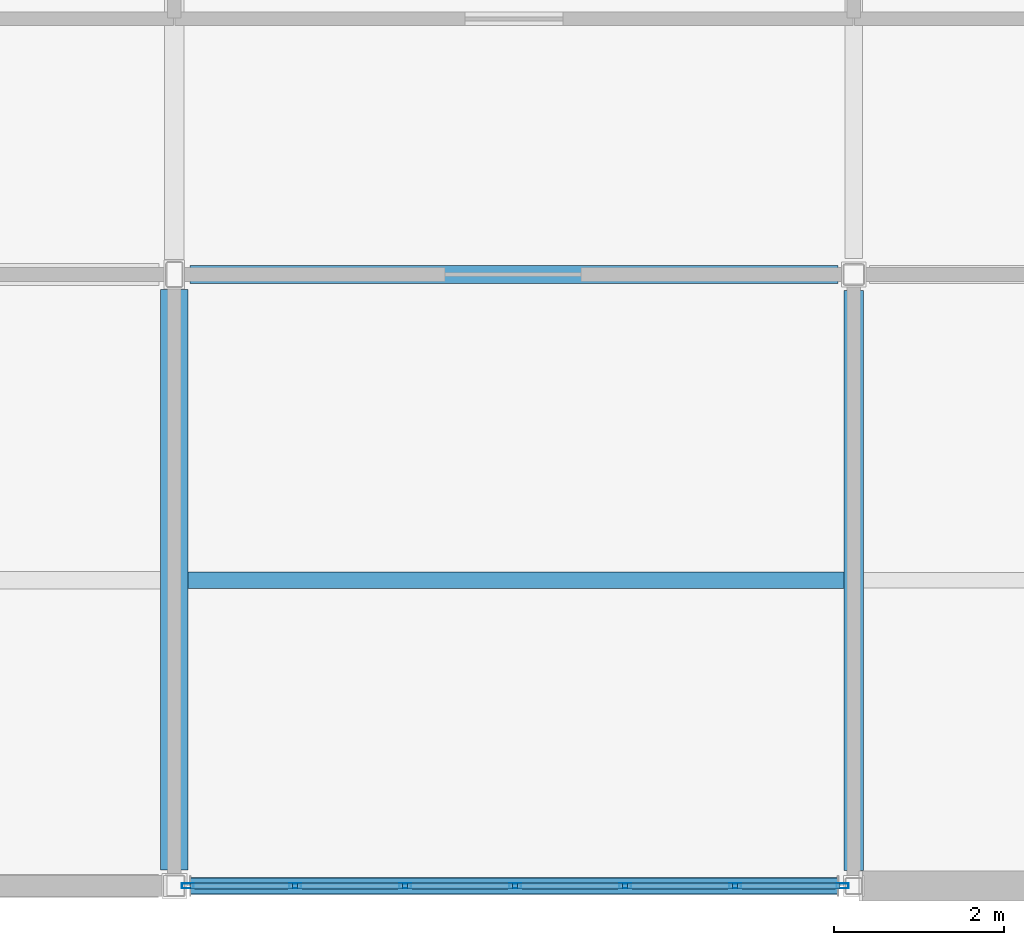
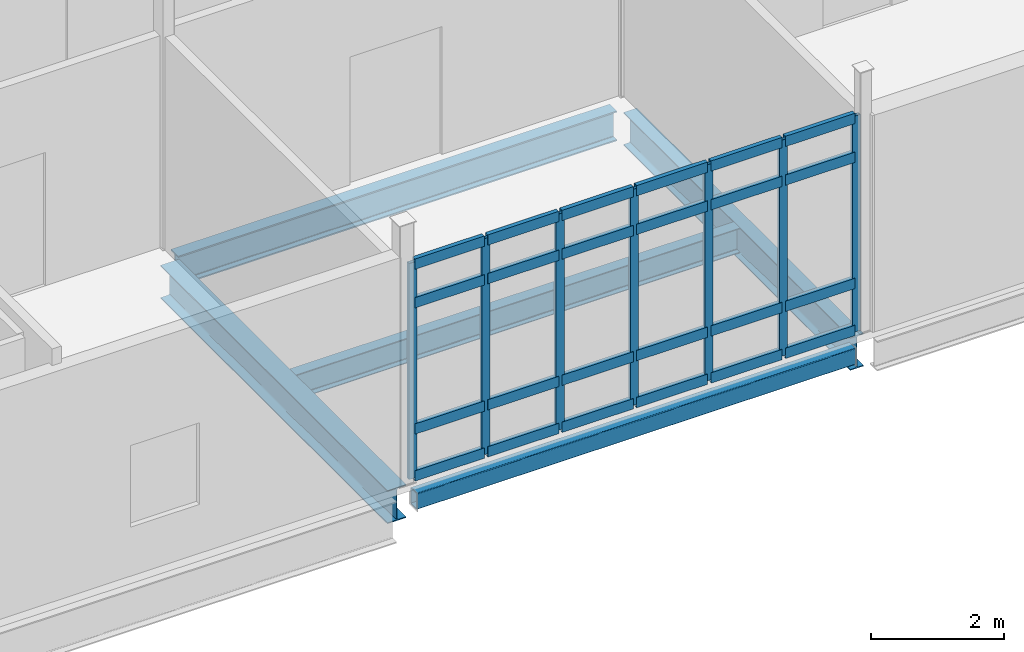
# One storey, part 46 of 186: 31 members, 5 beams, 1 element without a shape of its own.
"""IFC4 building model written with IfcOpenShell, lengths in metres."""

from ifc_helpers import new_model, si_unit, direction, frame, origin, origin_2d, place, context, subcontext, project, spatial, hollow_rectangle, i_section, extrude, material, layer, layer_set, material_profile, profile_set, type_object, element, aggregate, save


model = new_model("IFC4")

# Units and contexts
model_context = context("Model", 3, precision=1e-05, world=origin(), true_north=direction((0.0, 1.0)))
body_context = subcontext(model_context, "Body", "Model", "MODEL_VIEW")
ifc_project = project(units=[si_unit("LENGTHUNIT", "METRE"), si_unit("AREAUNIT", "SQUARE_METRE"), si_unit("VOLUMEUNIT", "CUBIC_METRE"), si_unit("PLANEANGLEUNIT", "RADIAN"), si_unit("MASSUNIT", "GRAM", prefix="KILO")], contexts=[model_context])

# Site, building, storey
site_placement = place(None, origin())
site = spatial("IfcSite", under=ifc_project, at=site_placement, CompositionType="ELEMENT")
building_placement = place(site_placement, origin())
building = spatial("IfcBuilding", under=site, at=building_placement, Name="Calvrana Isthmian Art Gallery", CompositionType="ELEMENT")
storey_placement = place(building_placement, frame((0.0, 0.0, 5.39990234375)))
storey = spatial("IfcBuildingStorey", under=building, at=storey_placement, Name="L01", CompositionType="ELEMENT", Elevation=5.39990234375)

# Beams
ifc_material_1 = material(Name="Steel ASTM A992 Gr 50", Category="steel")
ifc_material_profile_1 = material_profile(ifc_material_1, i_section(OverallWidth=0.214111328125, OverallDepth=0.549072265625, WebThickness=0.0146484375, FlangeThickness=0.023681640625, FilletRadius=0.02099609375, at=origin_2d()), Name="W21X93")
ifc_profile_set_1 = profile_set([ifc_material_profile_1], Name="Steel ASTM A992 Gr 50")
beam_type_1 = type_object("IfcBeamType", Name="BM-G-W21X93", PredefinedType="BEAM", material=ifc_profile_set_1)
beam_1_placement = place(storey_placement, frame((80.583984375, 7.199951171875, -0.519287109375), z_axis=(1.0, 0.0, 0.0), x_axis=(0.0, 1.0, 0.0)))
element("IfcBeam", 1, at=beam_1_placement, inside=storey, type_object=beam_type_1, Name="Girder X L01 11-12/B", PredefinedType="BEAM", context=body_context, shape_type="SweptSolid", body=[
    extrude(i_section(OverallWidth=0.214111328125, OverallDepth=0.549072265625, WebThickness=0.0146484375, FlangeThickness=0.023681640625, FilletRadius=0.02099609375, at=origin_2d()), origin(), (0.0, 0.0, 1.0), 7.62939453125),
])
ifc_material_profile_2 = material_profile(ifc_material_1, i_section(OverallWidth=0.324951171875, OverallDepth=0.612060546875, WebThickness=0.0126953125, FlangeThickness=0.01904296875, FilletRadius=0.02197265625, at=origin_2d()), Name="W24X104")
ifc_profile_set_2 = profile_set([ifc_material_profile_2], Name="Steel ASTM A992 Gr 50")
beam_type_2 = type_object("IfcBeamType", Name="BM-G-W24X104", PredefinedType="BEAM", material=ifc_profile_set_2)
beam_2_placement = place(storey_placement, frame((80.39990234375, 0.1865234375, -0.55078125), z_axis=(0.0, 1.0, 0.0), x_axis=(-1.0, 0.0, 0.0)))
element("IfcBeam", 2, at=beam_2_placement, inside=storey, type_object=beam_type_2, Name="Girder Y L01 11/A-B", PredefinedType="BEAM", context=body_context, shape_type="SweptSolid", body=[
    extrude(i_section(OverallWidth=0.324951171875, OverallDepth=0.612060546875, WebThickness=0.0126953125, FlangeThickness=0.01904296875, FilletRadius=0.02197265625, at=origin_2d()), origin(), (0.0, 0.0, 1.0), 6.83544921875),
])
ifc_material_profile_3 = material_profile(ifc_material_1, i_section(OverallWidth=0.22802734375, OverallDepth=0.60693359375, WebThickness=0.01123046875, FlangeThickness=0.017333984375, FilletRadius=0.02197265625, at=origin_2d()), Name="W24X76")
ifc_profile_set_3 = profile_set([ifc_material_profile_3], Name="Steel ASTM A992 Gr 50")
beam_type_3 = type_object("IfcBeamType", Name="BM-G-W24X76", PredefinedType="BEAM", material=ifc_profile_set_3)
beam_3_placement = place(storey_placement, frame((88.39990234375, 0.18408203125, -0.54833984375), z_axis=(0.0, 1.0, 0.0), x_axis=(-1.0, 0.0, 0.0)))
element("IfcBeam", 3, at=beam_3_placement, inside=storey, type_object=beam_type_3, Name="Girder Y L01 12/A-B", PredefinedType="BEAM", context=body_context, shape_type="SweptSolid", body=[
    extrude(i_section(OverallWidth=0.22802734375, OverallDepth=0.60693359375, WebThickness=0.01123046875, FlangeThickness=0.017333984375, FilletRadius=0.02197265625, at=origin_2d()), origin(), (0.0, 0.0, 1.0), 6.829345703125),
])
ifc_material_profile_4 = material_profile(ifc_material_1, i_section(OverallWidth=0.19091796875, OverallDepth=0.45703125, WebThickness=0.009033203125, FlangeThickness=0.014404296875, FilletRadius=0.02001953125, at=origin_2d()), Name="W18X50")
ifc_profile_set_4 = profile_set([ifc_material_profile_4], Name="Steel ASTM A992 Gr 50")
beam_type_4 = type_object("IfcBeamType", Name="BM-J-W18X50", PredefinedType="JOIST", material=ifc_profile_set_4)
beam_4_placement = place(storey_placement, frame((80.5625, 3.60009765625, -0.473388671875), z_axis=(1.0, 0.0, 0.0), x_axis=(0.0, 1.0, 0.0)))
element("IfcBeam", 4, at=beam_4_placement, inside=storey, type_object=beam_type_4, Name="Composite joist L01 bay 10-00", PredefinedType="JOIST", context=body_context, shape_type="SweptSolid", body=[
    extrude(i_section(OverallWidth=0.19091796875, OverallDepth=0.45703125, WebThickness=0.009033203125, FlangeThickness=0.014404296875, FilletRadius=0.02001953125, at=origin_2d()), origin(), (0.0, 0.0, 1.0), 7.723388671875),
])
ifc_material_2 = material(Name="Steel ASTM A500 Gr C", Category="steel")
ifc_material_profile_5 = material_profile(ifc_material_2, hollow_rectangle(XDim=0.203125, YDim=0.3046875, WallThickness=0.0126953125, OuterFilletRadius=0.02490234375, at=origin_2d()), Name="HSS305X203X12.7")
ifc_profile_set_5 = profile_set([ifc_material_profile_5], Name="Steel ASTM A500 Gr C")
beam_type_5 = type_object("IfcBeamType", Name="BM-SP-HSS305", PredefinedType="SPANDREL", material=ifc_profile_set_5)
beam_5_placement = place(storey_placement, frame((80.58642578125, 0.0, -0.397216796875), z_axis=(1.0, 0.0, 0.0), x_axis=(0.0, 1.0, 0.0)))
element("IfcBeam", 5, at=beam_5_placement, inside=storey, type_object=beam_type_5, Name="Girder X L01 11-12/A", PredefinedType="SPANDREL", context=body_context, shape_type="SweptSolid", body=[
    extrude(hollow_rectangle(XDim=0.203125, YDim=0.3046875, WallThickness=0.0126953125, OuterFilletRadius=0.02490234375, at=origin_2d()), origin(), (0.0, 0.0, 1.0), 7.626953125),
])

# Curtain wall, members
ifc_material_3 = material(Name="Anodized bronze aluminium 6063-T6", Category="aluminium")
ifc_layer = layer(ifc_material_3, 0.179931640625, Name="Anodized bronze aluminium 6063-T6")
ifc_layer_set = layer_set([ifc_layer], Name="Anodized bronze aluminium 6063-T6")
curtain_wall_type = type_object("IfcCurtainWallType", Name="CW-UNIT-078X40", PredefinedType="USERDEFINED", material=ifc_layer_set)
curtain_wall_placement = place(storey_placement, origin())
curtain_wall = element("IfcCurtainWall", 6, at=curtain_wall_placement, inside=storey, type_object=curtain_wall_type, Name="Curtain wall CW-084", ObjectType="UNITISED CURTAIN WALL", PredefinedType="USERDEFINED")
ifc_material_profile_6 = material_profile(ifc_material_3, hollow_rectangle(XDim=0.06005859375, YDim=0.139892578125, WallThickness=0.00390625, at=origin_2d()), Name="CWM60X140")
ifc_profile_set_6 = profile_set([ifc_material_profile_6], Name="Anodized bronze aluminium 6063-T6")
member_type_1 = type_object("IfcMemberType", Name="CWM-CWM60X140", PredefinedType="MULLION", material=ifc_profile_set_6)
member_1_placement = place(storey_placement, frame((88.268310546875, 0.0, 0.0), z_axis=(0.0, 0.0, 1.0), x_axis=(0.0, -1.0, 0.0)))
member_1 = element("IfcMember", 7, at=member_1_placement, type_object=member_type_1, Name="CW-084 mullion 1", PredefinedType="MULLION", context=body_context, shape_type="SweptSolid", body=[
    extrude(hollow_rectangle(XDim=0.06005859375, YDim=0.139892578125, WallThickness=0.00390625, at=origin_2d()), origin(), (0.0, 0.0, 1.0), 3.97119140625),
])
member_2_placement = place(storey_placement, frame((87.003173828125, 0.0, 0.0), z_axis=(0.0, 0.0, 1.0), x_axis=(0.0, -1.0, 0.0)))
member_2 = element("IfcMember", 8, at=member_2_placement, type_object=member_type_1, Name="CW-084 mullion 2", PredefinedType="MULLION", context=body_context, shape_type="SweptSolid", body=[
    extrude(hollow_rectangle(XDim=0.06005859375, YDim=0.139892578125, WallThickness=0.00390625, at=origin_2d()), origin(), (0.0, 0.0, 1.0), 3.97119140625),
])
member_3_placement = place(storey_placement, frame((85.7080078125, 0.0, 0.0), z_axis=(0.0, 0.0, 1.0), x_axis=(0.0, -1.0, 0.0)))
member_3 = element("IfcMember", 9, at=member_3_placement, type_object=member_type_1, Name="CW-084 mullion 3", PredefinedType="MULLION", context=body_context, shape_type="SweptSolid", body=[
    extrude(hollow_rectangle(XDim=0.06005859375, YDim=0.139892578125, WallThickness=0.00390625, at=origin_2d()), origin(), (0.0, 0.0, 1.0), 3.97119140625),
])
member_4_placement = place(storey_placement, frame((84.41259765625, 0.0, 0.0), z_axis=(0.0, 0.0, 1.0), x_axis=(0.0, -1.0, 0.0)))
member_4 = element("IfcMember", 10, at=member_4_placement, type_object=member_type_1, Name="CW-084 mullion 4", PredefinedType="MULLION", context=body_context, shape_type="SweptSolid", body=[
    extrude(hollow_rectangle(XDim=0.06005859375, YDim=0.139892578125, WallThickness=0.00390625, at=origin_2d()), origin(), (0.0, 0.0, 1.0), 3.97119140625),
])
member_5_placement = place(storey_placement, frame((83.117431640625, 0.0, 0.0), z_axis=(0.0, 0.0, 1.0), x_axis=(0.0, -1.0, 0.0)))
member_5 = element("IfcMember", 11, at=member_5_placement, type_object=member_type_1, Name="CW-084 mullion 5", PredefinedType="MULLION", context=body_context, shape_type="SweptSolid", body=[
    extrude(hollow_rectangle(XDim=0.06005859375, YDim=0.139892578125, WallThickness=0.00390625, at=origin_2d()), origin(), (0.0, 0.0, 1.0), 3.97119140625),
])
member_6_placement = place(storey_placement, frame((81.822265625, 0.0, 0.0), z_axis=(0.0, 0.0, 1.0), x_axis=(0.0, -1.0, 0.0)))
member_6 = element("IfcMember", 12, at=member_6_placement, type_object=member_type_1, Name="CW-084 mullion 6", PredefinedType="MULLION", context=body_context, shape_type="SweptSolid", body=[
    extrude(hollow_rectangle(XDim=0.06005859375, YDim=0.139892578125, WallThickness=0.00390625, at=origin_2d()), origin(), (0.0, 0.0, 1.0), 3.97119140625),
])
member_7_placement = place(storey_placement, frame((80.556884765625, 0.0, 0.0), z_axis=(0.0, 0.0, 1.0), x_axis=(0.0, -1.0, 0.0)))
member_7 = element("IfcMember", 13, at=member_7_placement, type_object=member_type_1, Name="CW-084 mullion 7", PredefinedType="MULLION", context=body_context, shape_type="SweptSolid", body=[
    extrude(hollow_rectangle(XDim=0.06005859375, YDim=0.139892578125, WallThickness=0.00390625, at=origin_2d()), origin(), (0.0, 0.0, 1.0), 3.97119140625),
])
ifc_material_profile_7 = material_profile(ifc_material_3, hollow_rectangle(XDim=0.074951171875, YDim=0.18994140625, WallThickness=0.00439453125, at=origin_2d()), Name="CWT75X190")
ifc_profile_set_7 = profile_set([ifc_material_profile_7], Name="Anodized bronze aluminium 6063-T6")
member_type_2 = type_object("IfcMemberType", Name="CWT-CWT75X190", PredefinedType="USERDEFINED", material=ifc_profile_set_7)
member_8_placement = place(storey_placement, frame((88.23828125, 0.0, 0.03759765625), z_axis=(-1.0, 0.0, 0.0), x_axis=(0.0, -1.0, 0.0)))
member_8 = element("IfcMember", 14, at=member_8_placement, type_object=member_type_2, Name="CW-084 transom 1.1", ObjectType="TRANSOM", PredefinedType="USERDEFINED", context=body_context, shape_type="SweptSolid", body=[
    extrude(hollow_rectangle(XDim=0.074951171875, YDim=0.18994140625, WallThickness=0.00439453125, at=origin_2d()), origin(), (0.0, 0.0, 1.0), 1.205078125),
])
member_9_placement = place(storey_placement, frame((88.23828125, 0.0, 0.900146484375), z_axis=(-1.0, 0.0, 0.0), x_axis=(0.0, -1.0, 0.0)))
member_9 = element("IfcMember", 15, at=member_9_placement, type_object=member_type_2, Name="CW-084 transom 1.2", ObjectType="TRANSOM", PredefinedType="USERDEFINED", context=body_context, shape_type="SweptSolid", body=[
    extrude(hollow_rectangle(XDim=0.074951171875, YDim=0.18994140625, WallThickness=0.00439453125, at=origin_2d()), origin(), (0.0, 0.0, 1.0), 1.205078125),
])
member_10_placement = place(storey_placement, frame((88.23828125, 0.0, 3.22119140625), z_axis=(-1.0, 0.0, 0.0), x_axis=(0.0, -1.0, 0.0)))
member_10 = element("IfcMember", 16, at=member_10_placement, type_object=member_type_2, Name="CW-084 transom 1.3", ObjectType="TRANSOM", PredefinedType="USERDEFINED", context=body_context, shape_type="SweptSolid", body=[
    extrude(hollow_rectangle(XDim=0.074951171875, YDim=0.18994140625, WallThickness=0.00439453125, at=origin_2d()), origin(), (0.0, 0.0, 1.0), 1.205078125),
])
member_11_placement = place(storey_placement, frame((88.23828125, 0.0, 3.93359375), z_axis=(-1.0, 0.0, 0.0), x_axis=(0.0, -1.0, 0.0)))
member_11 = element("IfcMember", 17, at=member_11_placement, type_object=member_type_2, Name="CW-084 transom 1.4", ObjectType="TRANSOM", PredefinedType="USERDEFINED", context=body_context, shape_type="SweptSolid", body=[
    extrude(hollow_rectangle(XDim=0.074951171875, YDim=0.18994140625, WallThickness=0.00439453125, at=origin_2d()), origin(), (0.0, 0.0, 1.0), 1.205078125),
])
member_12_placement = place(storey_placement, frame((86.97314453125, 0.0, 0.03759765625), z_axis=(-1.0, 0.0, 0.0), x_axis=(0.0, -1.0, 0.0)))
member_12 = element("IfcMember", 18, at=member_12_placement, type_object=member_type_2, Name="CW-084 transom 2.1", ObjectType="TRANSOM", PredefinedType="USERDEFINED", context=body_context, shape_type="SweptSolid", body=[
    extrude(hollow_rectangle(XDim=0.074951171875, YDim=0.18994140625, WallThickness=0.00439453125, at=origin_2d()), origin(), (0.0, 0.0, 1.0), 1.235107421875),
])
member_13_placement = place(storey_placement, frame((86.97314453125, 0.0, 0.900146484375), z_axis=(-1.0, 0.0, 0.0), x_axis=(0.0, -1.0, 0.0)))
member_13 = element("IfcMember", 19, at=member_13_placement, type_object=member_type_2, Name="CW-084 transom 2.2", ObjectType="TRANSOM", PredefinedType="USERDEFINED", context=body_context, shape_type="SweptSolid", body=[
    extrude(hollow_rectangle(XDim=0.074951171875, YDim=0.18994140625, WallThickness=0.00439453125, at=origin_2d()), origin(), (0.0, 0.0, 1.0), 1.235107421875),
])
member_14_placement = place(storey_placement, frame((86.97314453125, 0.0, 3.22119140625), z_axis=(-1.0, 0.0, 0.0), x_axis=(0.0, -1.0, 0.0)))
member_14 = element("IfcMember", 20, at=member_14_placement, type_object=member_type_2, Name="CW-084 transom 2.3", ObjectType="TRANSOM", PredefinedType="USERDEFINED", context=body_context, shape_type="SweptSolid", body=[
    extrude(hollow_rectangle(XDim=0.074951171875, YDim=0.18994140625, WallThickness=0.00439453125, at=origin_2d()), origin(), (0.0, 0.0, 1.0), 1.235107421875),
])
member_15_placement = place(storey_placement, frame((86.97314453125, 0.0, 3.93359375), z_axis=(-1.0, 0.0, 0.0), x_axis=(0.0, -1.0, 0.0)))
member_15 = element("IfcMember", 21, at=member_15_placement, type_object=member_type_2, Name="CW-084 transom 2.4", ObjectType="TRANSOM", PredefinedType="USERDEFINED", context=body_context, shape_type="SweptSolid", body=[
    extrude(hollow_rectangle(XDim=0.074951171875, YDim=0.18994140625, WallThickness=0.00439453125, at=origin_2d()), origin(), (0.0, 0.0, 1.0), 1.235107421875),
])
member_16_placement = place(storey_placement, frame((85.677978515625, 0.0, 0.03759765625), z_axis=(-1.0, 0.0, 0.0), x_axis=(0.0, -1.0, 0.0)))
member_16 = element("IfcMember", 22, at=member_16_placement, type_object=member_type_2, Name="CW-084 transom 3.1", ObjectType="TRANSOM", PredefinedType="USERDEFINED", context=body_context, shape_type="SweptSolid", body=[
    extrude(hollow_rectangle(XDim=0.074951171875, YDim=0.18994140625, WallThickness=0.00439453125, at=origin_2d()), origin(), (0.0, 0.0, 1.0), 1.2353515625),
])
member_17_placement = place(storey_placement, frame((85.677978515625, 0.0, 0.900146484375), z_axis=(-1.0, 0.0, 0.0), x_axis=(0.0, -1.0, 0.0)))
member_17 = element("IfcMember", 23, at=member_17_placement, type_object=member_type_2, Name="CW-084 transom 3.2", ObjectType="TRANSOM", PredefinedType="USERDEFINED", context=body_context, shape_type="SweptSolid", body=[
    extrude(hollow_rectangle(XDim=0.074951171875, YDim=0.18994140625, WallThickness=0.00439453125, at=origin_2d()), origin(), (0.0, 0.0, 1.0), 1.2353515625),
])
member_18_placement = place(storey_placement, frame((85.677978515625, 0.0, 3.22119140625), z_axis=(-1.0, 0.0, 0.0), x_axis=(0.0, -1.0, 0.0)))
member_18 = element("IfcMember", 24, at=member_18_placement, type_object=member_type_2, Name="CW-084 transom 3.3", ObjectType="TRANSOM", PredefinedType="USERDEFINED", context=body_context, shape_type="SweptSolid", body=[
    extrude(hollow_rectangle(XDim=0.074951171875, YDim=0.18994140625, WallThickness=0.00439453125, at=origin_2d()), origin(), (0.0, 0.0, 1.0), 1.2353515625),
])
member_19_placement = place(storey_placement, frame((85.677978515625, 0.0, 3.93359375), z_axis=(-1.0, 0.0, 0.0), x_axis=(0.0, -1.0, 0.0)))
member_19 = element("IfcMember", 25, at=member_19_placement, type_object=member_type_2, Name="CW-084 transom 3.4", ObjectType="TRANSOM", PredefinedType="USERDEFINED", context=body_context, shape_type="SweptSolid", body=[
    extrude(hollow_rectangle(XDim=0.074951171875, YDim=0.18994140625, WallThickness=0.00439453125, at=origin_2d()), origin(), (0.0, 0.0, 1.0), 1.2353515625),
])
member_20_placement = place(storey_placement, frame((84.3828125, 0.0, 0.03759765625), z_axis=(-1.0, 0.0, 0.0), x_axis=(0.0, -1.0, 0.0)))
member_20 = element("IfcMember", 26, at=member_20_placement, type_object=member_type_2, Name="CW-084 transom 4.1", ObjectType="TRANSOM", PredefinedType="USERDEFINED", context=body_context, shape_type="SweptSolid", body=[
    extrude(hollow_rectangle(XDim=0.074951171875, YDim=0.18994140625, WallThickness=0.00439453125, at=origin_2d()), origin(), (0.0, 0.0, 1.0), 1.2353515625),
])
member_21_placement = place(storey_placement, frame((84.3828125, 0.0, 0.900146484375), z_axis=(-1.0, 0.0, 0.0), x_axis=(0.0, -1.0, 0.0)))
member_21 = element("IfcMember", 27, at=member_21_placement, type_object=member_type_2, Name="CW-084 transom 4.2", ObjectType="TRANSOM", PredefinedType="USERDEFINED", context=body_context, shape_type="SweptSolid", body=[
    extrude(hollow_rectangle(XDim=0.074951171875, YDim=0.18994140625, WallThickness=0.00439453125, at=origin_2d()), origin(), (0.0, 0.0, 1.0), 1.2353515625),
])
member_22_placement = place(storey_placement, frame((84.3828125, 0.0, 3.22119140625), z_axis=(-1.0, 0.0, 0.0), x_axis=(0.0, -1.0, 0.0)))
member_22 = element("IfcMember", 28, at=member_22_placement, type_object=member_type_2, Name="CW-084 transom 4.3", ObjectType="TRANSOM", PredefinedType="USERDEFINED", context=body_context, shape_type="SweptSolid", body=[
    extrude(hollow_rectangle(XDim=0.074951171875, YDim=0.18994140625, WallThickness=0.00439453125, at=origin_2d()), origin(), (0.0, 0.0, 1.0), 1.2353515625),
])
member_23_placement = place(storey_placement, frame((84.3828125, 0.0, 3.93359375), z_axis=(-1.0, 0.0, 0.0), x_axis=(0.0, -1.0, 0.0)))
member_23 = element("IfcMember", 29, at=member_23_placement, type_object=member_type_2, Name="CW-084 transom 4.4", ObjectType="TRANSOM", PredefinedType="USERDEFINED", context=body_context, shape_type="SweptSolid", body=[
    extrude(hollow_rectangle(XDim=0.074951171875, YDim=0.18994140625, WallThickness=0.00439453125, at=origin_2d()), origin(), (0.0, 0.0, 1.0), 1.2353515625),
])
member_24_placement = place(storey_placement, frame((83.08740234375, 0.0, 0.03759765625), z_axis=(-1.0, 0.0, 0.0), x_axis=(0.0, -1.0, 0.0)))
member_24 = element("IfcMember", 30, at=member_24_placement, type_object=member_type_2, Name="CW-084 transom 5.1", ObjectType="TRANSOM", PredefinedType="USERDEFINED", context=body_context, shape_type="SweptSolid", body=[
    extrude(hollow_rectangle(XDim=0.074951171875, YDim=0.18994140625, WallThickness=0.00439453125, at=origin_2d()), origin(), (0.0, 0.0, 1.0), 1.235107421875),
])
member_25_placement = place(storey_placement, frame((83.08740234375, 0.0, 0.900146484375), z_axis=(-1.0, 0.0, 0.0), x_axis=(0.0, -1.0, 0.0)))
member_25 = element("IfcMember", 31, at=member_25_placement, type_object=member_type_2, Name="CW-084 transom 5.2", ObjectType="TRANSOM", PredefinedType="USERDEFINED", context=body_context, shape_type="SweptSolid", body=[
    extrude(hollow_rectangle(XDim=0.074951171875, YDim=0.18994140625, WallThickness=0.00439453125, at=origin_2d()), origin(), (0.0, 0.0, 1.0), 1.235107421875),
])
member_26_placement = place(storey_placement, frame((83.08740234375, 0.0, 3.22119140625), z_axis=(-1.0, 0.0, 0.0), x_axis=(0.0, -1.0, 0.0)))
member_26 = element("IfcMember", 32, at=member_26_placement, type_object=member_type_2, Name="CW-084 transom 5.3", ObjectType="TRANSOM", PredefinedType="USERDEFINED", context=body_context, shape_type="SweptSolid", body=[
    extrude(hollow_rectangle(XDim=0.074951171875, YDim=0.18994140625, WallThickness=0.00439453125, at=origin_2d()), origin(), (0.0, 0.0, 1.0), 1.235107421875),
])
member_27_placement = place(storey_placement, frame((83.08740234375, 0.0, 3.93359375), z_axis=(-1.0, 0.0, 0.0), x_axis=(0.0, -1.0, 0.0)))
member_27 = element("IfcMember", 33, at=member_27_placement, type_object=member_type_2, Name="CW-084 transom 5.4", ObjectType="TRANSOM", PredefinedType="USERDEFINED", context=body_context, shape_type="SweptSolid", body=[
    extrude(hollow_rectangle(XDim=0.074951171875, YDim=0.18994140625, WallThickness=0.00439453125, at=origin_2d()), origin(), (0.0, 0.0, 1.0), 1.235107421875),
])
member_28_placement = place(storey_placement, frame((81.792236328125, 0.0, 0.03759765625), z_axis=(-1.0, 0.0, 0.0), x_axis=(0.0, -1.0, 0.0)))
member_28 = element("IfcMember", 34, at=member_28_placement, type_object=member_type_2, Name="CW-084 transom 6.1", ObjectType="TRANSOM", PredefinedType="USERDEFINED", context=body_context, shape_type="SweptSolid", body=[
    extrude(hollow_rectangle(XDim=0.074951171875, YDim=0.18994140625, WallThickness=0.00439453125, at=origin_2d()), origin(), (0.0, 0.0, 1.0), 1.205322265625),
])
member_29_placement = place(storey_placement, frame((81.792236328125, 0.0, 0.900146484375), z_axis=(-1.0, 0.0, 0.0), x_axis=(0.0, -1.0, 0.0)))
member_29 = element("IfcMember", 35, at=member_29_placement, type_object=member_type_2, Name="CW-084 transom 6.2", ObjectType="TRANSOM", PredefinedType="USERDEFINED", context=body_context, shape_type="SweptSolid", body=[
    extrude(hollow_rectangle(XDim=0.074951171875, YDim=0.18994140625, WallThickness=0.00439453125, at=origin_2d()), origin(), (0.0, 0.0, 1.0), 1.205322265625),
])
member_30_placement = place(storey_placement, frame((81.792236328125, 0.0, 3.22119140625), z_axis=(-1.0, 0.0, 0.0), x_axis=(0.0, -1.0, 0.0)))
member_30 = element("IfcMember", 36, at=member_30_placement, type_object=member_type_2, Name="CW-084 transom 6.3", ObjectType="TRANSOM", PredefinedType="USERDEFINED", context=body_context, shape_type="SweptSolid", body=[
    extrude(hollow_rectangle(XDim=0.074951171875, YDim=0.18994140625, WallThickness=0.00439453125, at=origin_2d()), origin(), (0.0, 0.0, 1.0), 1.205322265625),
])
member_31_placement = place(storey_placement, frame((81.792236328125, 0.0, 3.93359375), z_axis=(-1.0, 0.0, 0.0), x_axis=(0.0, -1.0, 0.0)))
member_31 = element("IfcMember", 37, at=member_31_placement, type_object=member_type_2, Name="CW-084 transom 6.4", ObjectType="TRANSOM", PredefinedType="USERDEFINED", context=body_context, shape_type="SweptSolid", body=[
    extrude(hollow_rectangle(XDim=0.074951171875, YDim=0.18994140625, WallThickness=0.00439453125, at=origin_2d()), origin(), (0.0, 0.0, 1.0), 1.205322265625),
])
aggregate(curtain_wall, [member_1, member_2, member_3, member_4, member_5, member_6, member_7, member_8, member_9, member_10, member_11, member_12, member_13, member_14, member_15, member_16, member_17, member_18, member_19, member_20, member_21, member_22, member_23, member_24, member_25, member_26, member_27, member_28, member_29, member_30, member_31])

save(model, "model.ifc")
